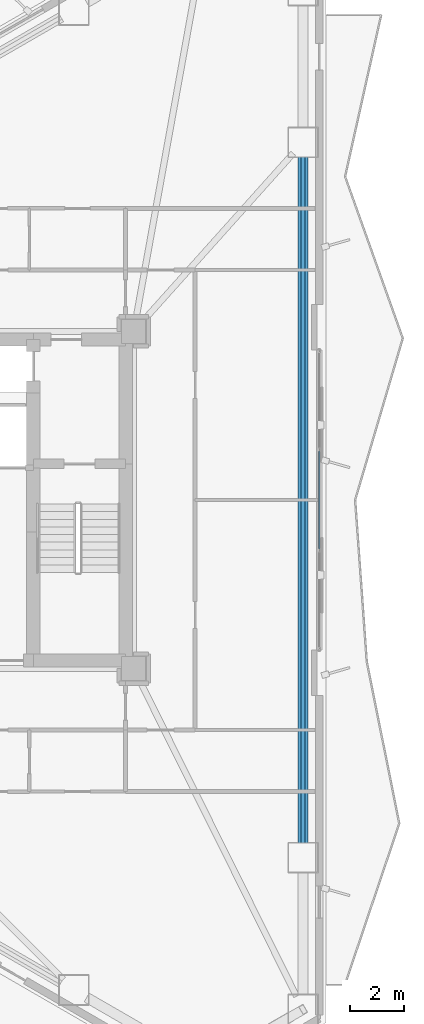
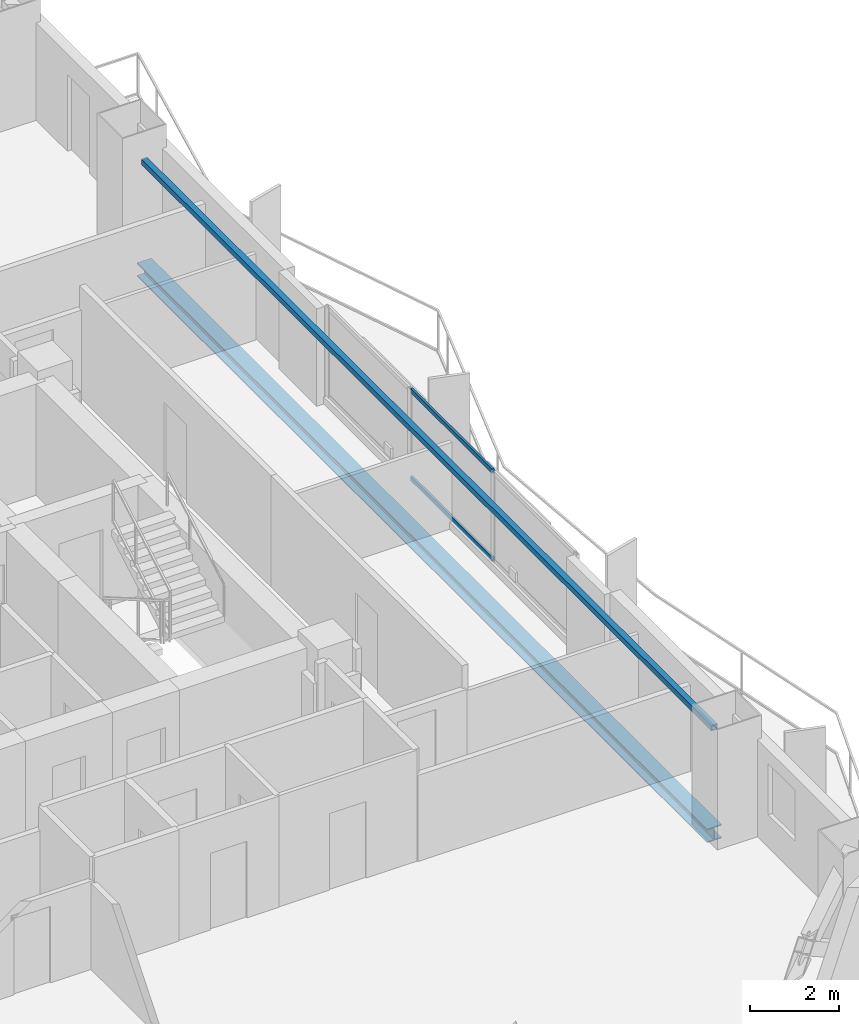
# One storey, part 9 of 23: 2 beams, 2 members, 1 element without a shape of its own.
"""IFC4 building model written with IfcOpenShell, lengths in metres."""

from ifc_helpers import new_model, si_unit, direction, frame, origin, origin_2d, place, context, subcontext, project, spatial, hollow_rectangle, i_section, extrude, material, layer, layer_set, material_profile, profile_set, type_object, element, aggregate, save


model = new_model("IFC4")

# Units and contexts
model_context = context("Model", 3, precision=1e-05, world=origin(), true_north=direction((0.0, 1.0)))
body_context = subcontext(model_context, "Body", "Model", "MODEL_VIEW")
ifc_project = project(units=[si_unit("LENGTHUNIT", "METRE"), si_unit("AREAUNIT", "SQUARE_METRE"), si_unit("VOLUMEUNIT", "CUBIC_METRE"), si_unit("PLANEANGLEUNIT", "RADIAN"), si_unit("MASSUNIT", "GRAM", prefix="KILO")], contexts=[model_context])

# Site, building, storey
site_placement = place(None, origin())
site = spatial("IfcSite", under=ifc_project, at=site_placement, CompositionType="ELEMENT")
building_placement = place(site_placement, origin())
building = spatial("IfcBuilding", under=site, at=building_placement, Name="Mersakhor Tower and Convention Hall", CompositionType="ELEMENT")
storey_placement = place(building_placement, frame((0.0, 0.0, 93.300048828125)))
storey = spatial("IfcBuildingStorey", under=building, at=storey_placement, Name="L25", CompositionType="ELEMENT", Elevation=93.300048828125)

# Beams
ifc_material_1 = material(Name="Steel S355", Category="steel")
ifc_material_profile_1 = material_profile(ifc_material_1, hollow_rectangle(XDim=0.14990234375, YDim=0.14990234375, WallThickness=0.010009765625, at=origin_2d()), Name="SHS 150x150x10")
ifc_profile_set_1 = profile_set([ifc_material_profile_1], Name="Steel S355")
beam_type_1 = type_object("IfcBeamType", Name="BM-GRT-SHS150", PredefinedType="USERDEFINED", material=ifc_profile_set_1)
beam_1_placement = place(storey_placement, frame((42.4345703125, 39.566650390625, 2.47998046875), z_axis=(0.0, -1.0, 0.0), x_axis=(1.0, 0.0, 0.0)))
element("IfcBeam", 1, at=beam_1_placement, inside=storey, type_object=beam_type_1, Name="L25 Facade Support Girt GRT-F2", ObjectType="GIRT", PredefinedType="USERDEFINED", context=body_context, shape_type="SweptSolid", body=[
    extrude(hollow_rectangle(XDim=0.14990234375, YDim=0.14990234375, WallThickness=0.010009765625, at=origin_2d()), origin(), (0.0, 0.0, 1.0), 25.63330078125),
])
ifc_material_2 = material(Name="Steel S355", Category="steel")
ifc_material_profile_2 = material_profile(ifc_material_2, i_section(OverallWidth=0.374755859375, OverallDepth=0.37451171875, WebThickness=0.0166015625, FlangeThickness=0.027099609375, at=origin_2d()), Name="UC 356x368x202")
ifc_profile_set_2 = profile_set([ifc_material_profile_2], Name="Steel S355")
beam_type_2 = type_object("IfcBeamType", Name="BM-SPD-UC356", PredefinedType="SPANDREL", material=ifc_profile_set_2)
beam_2_placement = place(storey_placement, frame((42.4345703125, 39.566650390625, -0.437255859375), z_axis=(0.0, -1.0, 0.0), x_axis=(1.0, 0.0, 0.0)))
element("IfcBeam", 2, at=beam_2_placement, inside=storey, type_object=beam_type_2, Name="L25 Perimeter Spandrel Beam SPB-06", PredefinedType="SPANDREL", context=body_context, shape_type="SweptSolid", body=[
    extrude(i_section(OverallWidth=0.374755859375, OverallDepth=0.37451171875, WebThickness=0.0166015625, FlangeThickness=0.027099609375, at=origin_2d()), origin(), (0.0, 0.0, 1.0), 25.63330078125),
])

# Curtain wall, members
ifc_material_3 = material(Name="Dark solar low-E aluminium curtain wall", Category="aluminium")
ifc_layer = layer(ifc_material_3, 0.159912109375)
ifc_layer_set = layer_set([ifc_layer], Name="Dark solar low-E aluminium curtain wall")
curtain_wall_type = type_object("IfcCurtainWallType", Name="CW-SYS-01", PredefinedType="USERDEFINED", material=ifc_layer_set)
curtain_wall_placement = place(storey_placement, origin())
curtain_wall = element("IfcCurtainWall", 3, at=curtain_wall_placement, inside=storey, type_object=curtain_wall_type, Name="L25 Dark-Glass Curtain Wall F2-B2", ObjectType="CURTAIN WALL", PredefinedType="USERDEFINED")
ifc_material_4 = material(Name="Anodised aluminium EN AW-6063 T6", Category="aluminium")
ifc_material_profile_3 = material_profile(ifc_material_4, hollow_rectangle(XDim=0.06005859375, YDim=0.1201171875, WallThickness=0.0048828125, at=origin_2d()), Name="RHS 120x60x5")
ifc_profile_set_3 = profile_set([ifc_material_profile_3], Name="Anodised aluminium EN AW-6063 T6")
member_type = type_object("IfcMemberType", Name="CWT-120x60", PredefinedType="USERDEFINED", material=ifc_profile_set_3)
member_1_placement = place(storey_placement, frame((43.03466796875, 28.583984375, 0.22998046875), z_axis=(0.0, -1.0, 0.0), x_axis=(1.0, 0.0, 0.0)))
member_1 = element("IfcMember", 4, at=member_1_placement, type_object=member_type, Name="CW-01 transom 2.1", ObjectType="TRANSOM", PredefinedType="USERDEFINED", context=body_context, shape_type="SweptSolid", body=[
    extrude(hollow_rectangle(XDim=0.06005859375, YDim=0.1201171875, WallThickness=0.0048828125, at=origin_2d()), origin(), (0.0, 0.0, 1.0), 3.66796875),
])
member_2_placement = place(storey_placement, frame((43.03466796875, 28.583984375, 2.639892578125), z_axis=(0.0, -1.0, 0.0), x_axis=(1.0, 0.0, 0.0)))
member_2 = element("IfcMember", 5, at=member_2_placement, type_object=member_type, Name="CW-01 transom 2.2", ObjectType="TRANSOM", PredefinedType="USERDEFINED", context=body_context, shape_type="SweptSolid", body=[
    extrude(hollow_rectangle(XDim=0.06005859375, YDim=0.1201171875, WallThickness=0.0048828125, at=origin_2d()), origin(), (0.0, 0.0, 1.0), 3.66796875),
])
aggregate(curtain_wall, [member_1, member_2])

save(model, "model.ifc")
